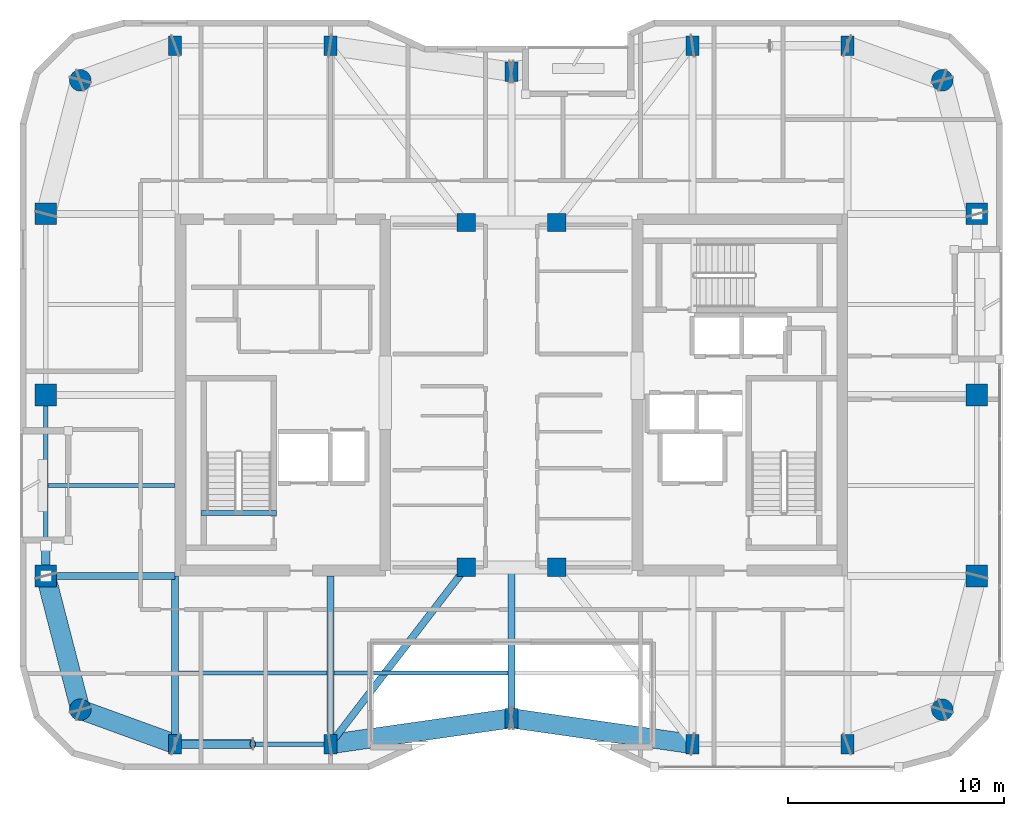
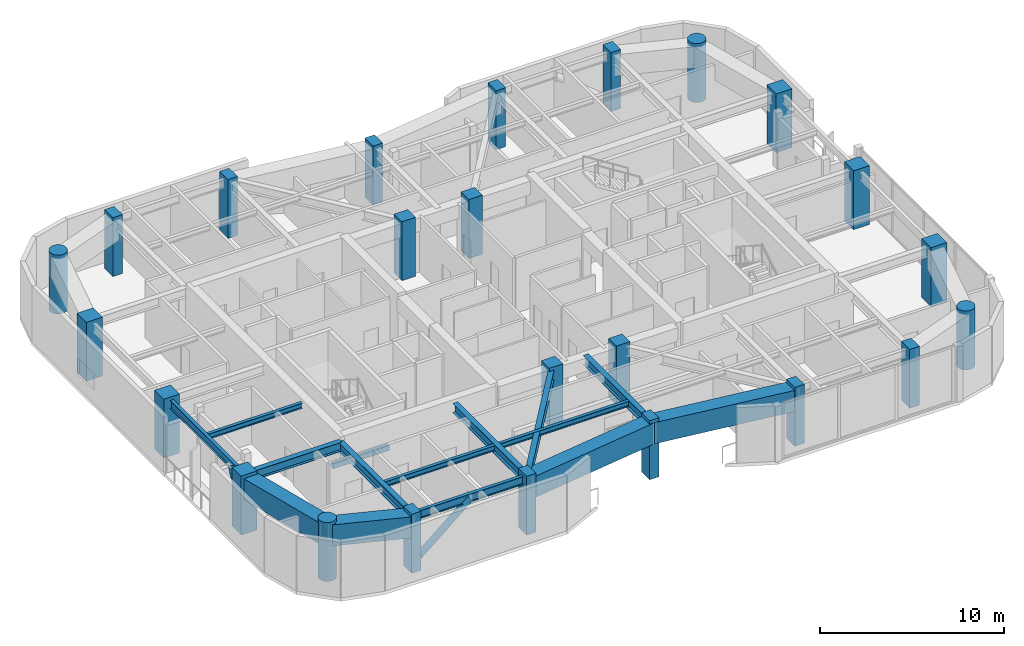
# One storey, part 1 of 16: 24 columns, 15 beams, 2 members.
"""IFC4 building model written with IfcOpenShell, lengths in metres."""

from ifc_helpers import new_model, si_unit, direction, frame, origin, origin_2d, place, context, subcontext, project, spatial, rectangle, hollow_rectangle, circle, hollow_circle, i_section, extrude, material, material_profile, profile_set, type_object, element, save


model = new_model("IFC4")

# Units and contexts
model_context = context("Model", 3, precision=1e-05, world=origin(), true_north=direction((0.0, 1.0)))
body_context = subcontext(model_context, "Body", "Model", "MODEL_VIEW")
ifc_project = project(units=[si_unit("LENGTHUNIT", "METRE"), si_unit("AREAUNIT", "SQUARE_METRE"), si_unit("VOLUMEUNIT", "CUBIC_METRE"), si_unit("PLANEANGLEUNIT", "RADIAN"), si_unit("MASSUNIT", "GRAM", prefix="KILO")], contexts=[model_context])

# Site, building, storey
site_placement = place(None, origin())
site = spatial("IfcSite", under=ifc_project, at=site_placement, CompositionType="ELEMENT")
building_placement = place(site_placement, origin())
building = spatial("IfcBuilding", under=site, at=building_placement, Name="Kiyonajd Concourse Tower", CompositionType="ELEMENT")
storey_placement = place(building_placement, frame((0.0, 0.0, 298.5)))
storey = spatial("IfcBuildingStorey", under=building, at=storey_placement, Name="L75", CompositionType="ELEMENT", Elevation=298.5)

# Columns
ifc_material_1 = material(Name="Concrete C60/75", Category="concrete")
ifc_material_profile_1 = material_profile(ifc_material_1, rectangle(XDim=0.60009765625, YDim=0.89990234375, at=origin_2d()), Name="RC-900x600")
ifc_profile_set_1 = profile_set([ifc_material_profile_1], Name="Concrete C60/75")
column_type_1 = type_object("IfcColumnType", Name="CL-BLADE-900", PredefinedType="COLUMN", material=ifc_profile_set_1)
for number, where, z_axis, x_axis, name in (
    (1, (32.39990234375, 19.800048828125, 0.0), (0.0, 0.0, 1.0), (1.0, 0.0, 0.0), "L75 Perimeter Bundled Tube Column"),
    (2, (32.39990234375, 52.199951171875, 0.0), (0.0, 0.0, 1.0), (1.0, 0.0, 0.0), "L75 Perimeter Bundled Tube Column"),
    (3, (39.60009765625, 19.800048828125, 0.0), (0.0, 0.0, 1.0), (1.0, 0.0, 0.0), "L75 Perimeter Bundled Tube Column"),
    (4, (39.60009765625, 52.199951171875, 0.0), (0.0, 0.0, 1.0), (1.0, 0.0, 0.0), "L75 Perimeter Bundled Tube Column"),
    (5, (48.0, 21.0, 0.0), (0.0, 0.0, 1.0), (1.0, 0.0, 0.0), "L75 Perimeter Bundled Tube Column"),
    (6, (48.0, 51.0, 0.0), (0.0, 0.0, 1.0), (1.0, 0.0, 0.0), "L75 Perimeter Bundled Tube Column"),
    (7, (56.39990234375, 19.800048828125, 0.0), (0.0, 0.0, 1.0), (1.0, 0.0, 0.0), "L75 Perimeter Bundled Tube Column"),
    (8, (56.39990234375, 52.199951171875, 0.0), (0.0, 0.0, 1.0), (1.0, 0.0, 0.0), "L75 Perimeter Bundled Tube Column"),
    (9, (63.60009765625, 19.800048828125, 0.0), (0.0, 0.0, 1.0), (1.0, 0.0, 0.0), "L75 Perimeter Bundled Tube Column"),
    (10, (63.60009765625, 52.199951171875, 0.0), (0.0, 0.0, 1.0), (1.0, 0.0, 0.0), "L75 Perimeter Bundled Tube Column"),
):
    element("IfcColumn", number, at=place(storey_placement, frame(where, z_axis=z_axis, x_axis=x_axis)), inside=storey, type_object=column_type_1, Name=name, PredefinedType="COLUMN", context=body_context, shape_type="SweptSolid", body=[
        extrude(rectangle(XDim=0.60009765625, YDim=0.89990234375, at=origin_2d()), origin(), (0.0, 0.0, 1.0), 3.89990234375),
    ])
ifc_material_profile_2 = material_profile(ifc_material_1, circle(Radius=0.5, at=origin_2d()), Name="RCC-D1000")
ifc_profile_set_2 = profile_set([ifc_material_profile_2], Name="Concrete C60/75")
column_type_2 = type_object("IfcColumnType", Name="CL-RND-1000", PredefinedType="COLUMN", material=ifc_profile_set_2)
for number, where, z_axis, x_axis, name in (
    (11, (28.0, 21.39990234375, 0.0), (0.0, 0.0, 1.0), (1.0, 0.0, 0.0), "L75 Bundled Tube Corner Column South West"),
    (12, (68.0, 21.39990234375, 0.0), (0.0, 0.0, 1.0), (1.0, 0.0, 0.0), "L75 Bundled Tube Corner Column South East"),
    (13, (68.0, 50.60009765625, 0.0), (0.0, 0.0, 1.0), (1.0, 0.0, 0.0), "L75 Bundled Tube Corner Column North East"),
    (14, (28.0, 50.60009765625, 0.0), (0.0, 0.0, 1.0), (1.0, 0.0, 0.0), "L75 Bundled Tube Corner Column North West"),
):
    element("IfcColumn", number, at=place(storey_placement, frame(where, z_axis=z_axis, x_axis=x_axis)), inside=storey, type_object=column_type_2, Name=name, PredefinedType="COLUMN", context=body_context, shape_type="SweptSolid", body=[
        extrude(circle(Radius=0.5, at=origin_2d()), origin(), (0.0, 0.0, 1.0), 3.89990234375),
    ])
ifc_material_profile_3 = material_profile(ifc_material_1, rectangle(XDim=1.0, YDim=1.0, at=origin_2d()), Name="RC-1000x1000")
ifc_profile_set_3 = profile_set([ifc_material_profile_3], Name="Concrete C60/75")
column_type_3 = type_object("IfcColumnType", Name="CL-TUBE-1000", PredefinedType="COLUMN", material=ifc_profile_set_3)
for number, where, z_axis, x_axis, name in (
    (15, (26.39990234375, 27.60009765625, 0.0), (0.0, 0.0, 1.0), (1.0, 0.0, 0.0), "L75 Perimeter Bundled Tube Column"),
    (16, (69.60009765625, 27.60009765625, 0.0), (0.0, 0.0, 1.0), (1.0, 0.0, 0.0), "L75 Perimeter Bundled Tube Column"),
    (17, (26.39990234375, 36.0, 0.0), (0.0, 0.0, 1.0), (1.0, 0.0, 0.0), "L75 Perimeter Bundled Tube Column"),
    (18, (69.60009765625, 36.0, 0.0), (0.0, 0.0, 1.0), (1.0, 0.0, 0.0), "L75 Perimeter Bundled Tube Column"),
    (19, (26.39990234375, 44.39990234375, 0.0), (0.0, 0.0, 1.0), (1.0, 0.0, 0.0), "L75 Perimeter Bundled Tube Column"),
    (20, (69.60009765625, 44.39990234375, 0.0), (0.0, 0.0, 1.0), (1.0, 0.0, 0.0), "L75 Perimeter Bundled Tube Column"),
):
    element("IfcColumn", number, at=place(storey_placement, frame(where, z_axis=z_axis, x_axis=x_axis)), inside=storey, type_object=column_type_3, Name=name, PredefinedType="COLUMN", context=body_context, shape_type="SweptSolid", body=[
        extrude(rectangle(XDim=1.0, YDim=1.0, at=origin_2d()), origin(), (0.0, 0.0, 1.0), 3.89990234375),
    ])
ifc_material_profile_4 = material_profile(ifc_material_1, rectangle(XDim=0.85009765625, YDim=0.85009765625, at=origin_2d()), Name="RC-850x850")
ifc_profile_set_4 = profile_set([ifc_material_profile_4], Name="Concrete C60/75")
column_type_4 = type_object("IfcColumnType", Name="CL-TUBE-850", PredefinedType="COLUMN", material=ifc_profile_set_4)
for number, where, z_axis, x_axis, name in (
    (21, (45.89990234375, 28.0, 0.0), (0.0, 0.0, 1.0), (1.0, 0.0, 0.0), "L75 Core Tie Column South West"),
    (22, (50.10009765625, 28.0, 0.0), (0.0, 0.0, 1.0), (1.0, 0.0, 0.0), "L75 Core Tie Column South East"),
    (23, (45.89990234375, 44.0, 0.0), (0.0, 0.0, 1.0), (1.0, 0.0, 0.0), "L75 Core Tie Column North West"),
    (24, (50.10009765625, 44.0, 0.0), (0.0, 0.0, 1.0), (1.0, 0.0, 0.0), "L75 Core Tie Column North East"),
):
    element("IfcColumn", number, at=place(storey_placement, frame(where, z_axis=z_axis, x_axis=x_axis)), inside=storey, type_object=column_type_4, Name=name, PredefinedType="COLUMN", context=body_context, shape_type="SweptSolid", body=[
        extrude(rectangle(XDim=0.85009765625, YDim=0.85009765625, at=origin_2d()), origin(), (0.0, 0.0, 1.0), 3.89990234375),
    ])

# Beams
ifc_material_2 = material(Name="Steel ASTM A992 Grade 50", Category="steel")
ifc_material_profile_5 = material_profile(ifc_material_2, i_section(OverallWidth=0.205078125, OverallDepth=0.35400390625, WebThickness=0.009521484375, FlangeThickness=0.016845703125, at=origin_2d()), Name="W360X79")
ifc_profile_set_5 = profile_set([ifc_material_profile_5], Name="Steel ASTM A992 Grade 50")
beam_type_1 = type_object("IfcBeamType", Name="BM-JST-360", PredefinedType="JOIST", material=ifc_profile_set_5)
beam_1_placement = place(storey_placement, frame((32.56201171875, 23.10009765625, 3.5029296875), z_axis=(1.0, 0.0, 0.0), x_axis=(0.0, 1.0, 0.0)))
element("IfcBeam", 25, at=beam_1_placement, inside=storey, type_object=beam_type_1, Name="L75 Secondary Floor Joist", PredefinedType="JOIST", context=body_context, shape_type="SweptSolid", body=[
    extrude(i_section(OverallWidth=0.205078125, OverallDepth=0.35400390625, WebThickness=0.009521484375, FlangeThickness=0.016845703125, at=origin_2d()), origin(), (0.0, 0.0, 1.0), 6.8759765625),
])
beam_2_placement = place(storey_placement, frame((39.761962890625, 23.10009765625, 3.5029296875), z_axis=(1.0, 0.0, 0.0), x_axis=(0.0, 1.0, 0.0)))
element("IfcBeam", 26, at=beam_2_placement, inside=storey, type_object=beam_type_1, Name="L75 Secondary Floor Joist", PredefinedType="JOIST", context=body_context, shape_type="SweptSolid", body=[
    extrude(i_section(OverallWidth=0.205078125, OverallDepth=0.35400390625, WebThickness=0.009521484375, FlangeThickness=0.016845703125, at=origin_2d()), origin(), (0.0, 0.0, 1.0), 8.075927734375),
])
beam_3_placement = place(storey_placement, frame((26.505615234375, 31.800048828125, 3.5029296875), z_axis=(1.0, 0.0, 0.0), x_axis=(0.0, 1.0, 0.0)))
element("IfcBeam", 27, at=beam_3_placement, inside=storey, type_object=beam_type_1, Name="L75 West Secondary Floor Joist", PredefinedType="JOIST", context=body_context, shape_type="SweptSolid", body=[
    extrude(i_section(OverallWidth=0.205078125, OverallDepth=0.35400390625, WebThickness=0.009521484375, FlangeThickness=0.016845703125, at=origin_2d()), origin(), (0.0, 0.0, 1.0), 5.894287109375),
])
ifc_material_3 = material(Name="Concrete C50/60", Category="concrete")
ifc_material_profile_6 = material_profile(ifc_material_3, rectangle(XDim=0.239990234375, YDim=0.320068359375, at=origin_2d()), Name="RCBM-240x320")
ifc_profile_set_6 = profile_set([ifc_material_profile_6], Name="Concrete C50/60")
beam_type_2 = type_object("IfcBeamType", Name="BM-LNT-250", PredefinedType="LINTEL", material=ifc_profile_set_6)
beam_4_placement = place(storey_placement, frame((33.590087890625, 30.530029296875, -0.159912109375), z_axis=(1.0, 0.0, 0.0), x_axis=(0.0, 1.0, 0.0)))
element("IfcBeam", 28, at=beam_4_placement, inside=storey, type_object=beam_type_2, Name="L75 Stair ST1 Threshold Support Beam", PredefinedType="LINTEL", context=body_context, shape_type="SweptSolid", body=[
    extrude(rectangle(XDim=0.239990234375, YDim=0.320068359375, at=origin_2d()), origin(), (0.0, 0.0, 1.0), 3.52001953125),
])
ifc_material_profile_7 = material_profile(ifc_material_2, i_section(OverallWidth=0.2109375, OverallDepth=0.5390625, WebThickness=0.01171875, FlangeThickness=0.018798828125, at=origin_2d()), Name="W530X109")
ifc_profile_set_7 = profile_set([ifc_material_profile_7], Name="Steel ASTM A992 Grade 50")
beam_type_3 = type_object("IfcBeamType", Name="BM-SPAN-530B", PredefinedType="SPANDREL", material=ifc_profile_set_7)
beam_5_placement = place(storey_placement, frame((32.39990234375, 19.800048828125, 3.410400390625), z_axis=(1.0, 0.0, 0.0), x_axis=(0.0, 1.0, 0.0)))
element("IfcBeam", 29, at=beam_5_placement, inside=storey, type_object=beam_type_3, Name="L75 Perimeter Bundled Tube Spandrel", PredefinedType="SPANDREL", context=body_context, shape_type="SweptSolid", body=[
    extrude(i_section(OverallWidth=0.2109375, OverallDepth=0.5390625, WebThickness=0.01171875, FlangeThickness=0.018798828125, at=origin_2d()), origin(), (0.0, 0.0, 1.0), 7.2001953125),
])
beam_6_placement = place(storey_placement, frame((26.39990234375, 36.0, 3.410400390625), z_axis=(0.0, -1.0, 0.0), x_axis=(1.0, 0.0, 0.0)))
element("IfcBeam", 30, at=beam_6_placement, inside=storey, type_object=beam_type_3, Name="L75 Perimeter Bundled Tube Spandrel", PredefinedType="SPANDREL", context=body_context, shape_type="SweptSolid", body=[
    extrude(i_section(OverallWidth=0.2109375, OverallDepth=0.5390625, WebThickness=0.01171875, FlangeThickness=0.018798828125, at=origin_2d()), origin(), (0.0, 0.0, 1.0), 8.39990234375),
])
ifc_material_profile_8 = material_profile(ifc_material_2, i_section(OverallWidth=0.326904296875, OverallDepth=0.6220703125, WebThickness=0.015380859375, FlangeThickness=0.0244140625, at=origin_2d()), Name="W610X195")
ifc_profile_set_8 = profile_set([ifc_material_profile_8], Name="Steel ASTM A992 Grade 50")
beam_type_4 = type_object("IfcBeamType", Name="BM-TWR-610A", PredefinedType="BEAM", material=ifc_profile_set_8)
beam_7_placement = place(storey_placement, frame((39.60009765625, 19.800048828125, 3.368896484375), z_axis=(0.609233709922, 0.792990722956, 0.0), x_axis=(-0.792990722956, 0.609233709922, 0.0)))
element("IfcBeam", 31, at=beam_7_placement, inside=storey, type_object=beam_type_4, Name="L75 Core Tie Girder", PredefinedType="BEAM", context=body_context, shape_type="SweptSolid", body=[
    extrude(i_section(OverallWidth=0.326904296875, OverallDepth=0.6220703125, WebThickness=0.015380859375, FlangeThickness=0.0244140625, at=origin_2d()), origin(), (0.0, 0.0, 1.0), 10.340576171875),
])
ifc_material_profile_9 = material_profile(ifc_material_2, i_section(OverallWidth=0.323974609375, OverallDepth=0.611083984375, WebThickness=0.0126953125, FlangeThickness=0.01904296875, at=origin_2d()), Name="W610X155")
ifc_profile_set_9 = profile_set([ifc_material_profile_9], Name="Steel ASTM A992 Grade 50")
beam_type_5 = type_object("IfcBeamType", Name="BM-TWR-610B", PredefinedType="BEAM", material=ifc_profile_set_9)
for number, where, z_axis, x_axis, name in (
    (32, (32.39990234375, 19.800048828125, 3.37451171875), (0.0, 1.0, 0.0), (-1.0, 0.0, 0.0), "L75 South Lease Girder"),
    (33, (39.60009765625, 19.800048828125, 3.37451171875), (0.0, 1.0, 0.0), (-1.0, 0.0, 0.0), "L75 South Lease Girder"),
):
    element("IfcBeam", number, at=place(storey_placement, frame(where, z_axis=z_axis, x_axis=x_axis)), inside=storey, type_object=beam_type_5, Name=name, PredefinedType="BEAM", context=body_context, shape_type="SweptSolid", body=[
        extrude(i_section(OverallWidth=0.323974609375, OverallDepth=0.611083984375, WebThickness=0.0126953125, FlangeThickness=0.01904296875, at=origin_2d()), origin(), (0.0, 0.0, 1.0), 7.800048828125),
    ])
beam_8_placement = place(storey_placement, frame((48.0, 21.0, 3.37451171875), z_axis=(0.0, 1.0, 0.0), x_axis=(-1.0, 0.0, 0.0)))
element("IfcBeam", 34, at=beam_8_placement, inside=storey, type_object=beam_type_5, Name="L75 South Ribbon Girder", PredefinedType="BEAM", context=body_context, shape_type="SweptSolid", body=[
    extrude(i_section(OverallWidth=0.323974609375, OverallDepth=0.611083984375, WebThickness=0.0126953125, FlangeThickness=0.01904296875, at=origin_2d()), origin(), (0.0, 0.0, 1.0), 7.0),
])
beam_9_placement = place(storey_placement, frame((26.39990234375, 27.60009765625, 3.37451171875), z_axis=(1.0, 0.0, 0.0), x_axis=(0.0, 1.0, 0.0)))
element("IfcBeam", 35, at=beam_9_placement, inside=storey, type_object=beam_type_5, Name="L75 West Lease Girder", PredefinedType="BEAM", context=body_context, shape_type="SweptSolid", body=[
    extrude(i_section(OverallWidth=0.323974609375, OverallDepth=0.611083984375, WebThickness=0.0126953125, FlangeThickness=0.01904296875, at=origin_2d()), origin(), (0.0, 0.0, 1.0), 6.0),
])
ifc_material_4 = material(Name="Steel ASTM A572 Grade 50", Category="steel")
ifc_material_profile_10 = material_profile(ifc_material_4, hollow_rectangle(XDim=0.89990234375, YDim=1.39990234375, WallThickness=0.070068359375, at=origin_2d()), Name="BOX-1400x900x70")
ifc_profile_set_10 = profile_set([ifc_material_profile_10], Name="Steel ASTM A572 Grade 50")
beam_type_6 = type_object("IfcBeamType", Name="BM-XFER-1400", PredefinedType="BEAM", material=ifc_profile_set_10)
beam_10_placement = place(storey_placement, frame((26.39990234375, 27.60009765625, 2.97998046875), z_axis=(0.249884937687, -0.968275538221, 0.0), x_axis=(0.968275538221, 0.249884937687, 0.0)))
element("IfcBeam", 36, at=beam_10_placement, inside=storey, type_object=beam_type_6, Name="L75 Perimeter Bundled Tube Spandrel", PredefinedType="BEAM", context=body_context, shape_type="SweptSolid", body=[
    extrude(hollow_rectangle(XDim=0.89990234375, YDim=1.39990234375, WallThickness=0.070068359375, at=origin_2d()), origin(), (0.0, 0.0, 1.0), 6.4033203125),
])
beam_11_placement = place(storey_placement, frame((28.0, 21.39990234375, 2.97998046875), z_axis=(0.939801036019, -0.341722127901, 0.0), x_axis=(0.341722127901, 0.939801036019, 0.0)))
element("IfcBeam", 37, at=beam_11_placement, inside=storey, type_object=beam_type_6, Name="L75 Perimeter Bundled Tube Spandrel", PredefinedType="BEAM", context=body_context, shape_type="SweptSolid", body=[
    extrude(hollow_rectangle(XDim=0.89990234375, YDim=1.39990234375, WallThickness=0.070068359375, at=origin_2d()), origin(), (0.0, 0.0, 1.0), 4.681640625),
])
for number, where, z_axis, x_axis, name in (
    (38, (39.60009765625, 19.800048828125, 2.97998046875), (0.989950069105, 0.141417328072, 0.0), (-0.141417328072, 0.989950069105, 0.0), "L75 Perimeter Bundled Tube Spandrel"),
    (39, (48.0, 21.0, 2.97998046875), (0.989950069105, -0.141417328072, 0.0), (0.141417328072, 0.989950069105, 0.0), "L75 Perimeter Bundled Tube Spandrel"),
):
    element("IfcBeam", number, at=place(storey_placement, frame(where, z_axis=z_axis, x_axis=x_axis)), inside=storey, type_object=beam_type_6, Name=name, PredefinedType="BEAM", context=body_context, shape_type="SweptSolid", body=[
        extrude(hollow_rectangle(XDim=0.89990234375, YDim=1.39990234375, WallThickness=0.070068359375, at=origin_2d()), origin(), (0.0, 0.0, 1.0), 8.485107421875),
    ])

# Members
ifc_material_5 = material(Name="Steel ASTM A500 Grade C", Category="steel")
ifc_material_profile_11 = material_profile(ifc_material_5, hollow_circle(Radius=0.202880859375, WallThickness=0.01904296875, at=origin_2d()), Name="CHS-406x19")
ifc_profile_set_11 = profile_set([ifc_material_profile_11], Name="Steel ASTM A500 Grade C")
member_type = type_object("IfcMemberType", Name="MB-PB-HIGH", PredefinedType="BRACE", material=ifc_profile_set_11)
member_1_placement = place(storey_placement, frame((32.39990234375, 19.800048828125, 0.300048828125), z_axis=(0.765082043761, 0.0, 0.643932811957), x_axis=(0.0, 1.0, 0.0)))
element("IfcMember", 40, at=member_1_placement, inside=storey, type_object=member_type, Name="L75 Upper Zone Hollow Tube Brace PBS", PredefinedType="BRACE", context=body_context, shape_type="SweptSolid", body=[
    extrude(hollow_circle(Radius=0.202880859375, WallThickness=0.01904296875, at=origin_2d()), origin(), (0.0, 0.0, 1.0), 4.70556640625),
])
member_2_placement = place(storey_placement, frame((26.39990234375, 27.60009765625, 0.300048828125), z_axis=(0.0, 0.419410666774, 0.907796614114), x_axis=(-1.0, 0.0, 0.0)))
element("IfcMember", 41, at=member_2_placement, inside=storey, type_object=member_type, Name="L75 Upper Zone Hollow Tube Brace PBW", PredefinedType="BRACE", context=body_context, shape_type="SweptSolid", body=[
    extrude(hollow_circle(Radius=0.202880859375, WallThickness=0.01904296875, at=origin_2d()), origin(), (0.0, 0.0, 1.0), 3.337890625),
])

save(model, "model.ifc")
